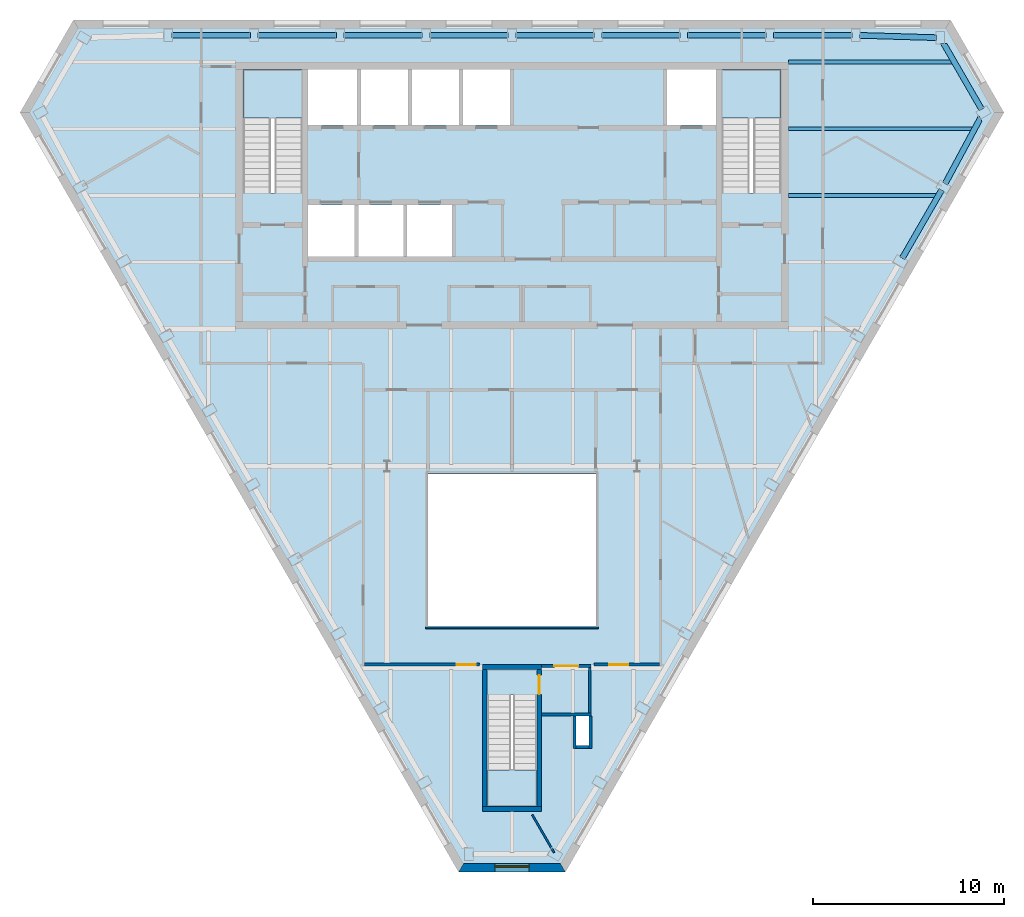
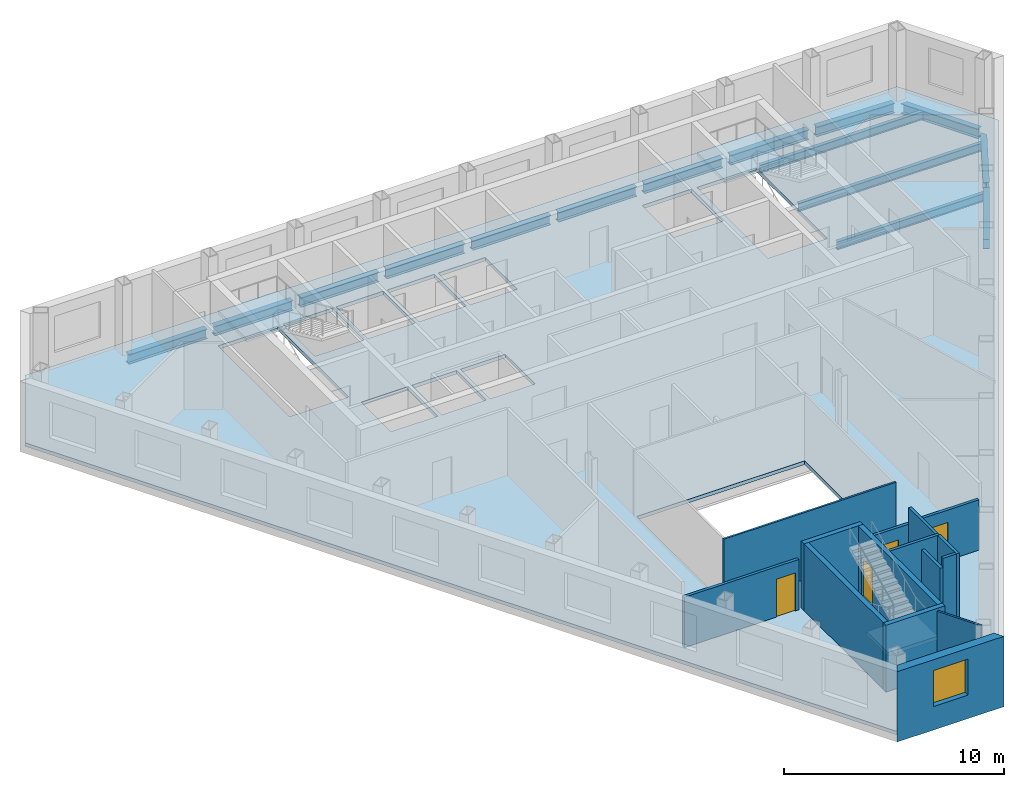
# One storey, part 3 of 10: 15 beams, 15 walls, 4 doors, 4 slabs, 1 window, 5 openings, 3 elements without a shape of their own.
"""IFC4 building model written with IfcOpenShell, lengths in metres."""

from ifc_helpers import new_model, si_unit, direction, frame, frame_2d, origin, origin_2d, place, context, subcontext, project, spatial, polyline, rectangle, i_section, outline, extrude, clip, halfspace, material, layer, layer_set, material_profile, profile_set, type_object, element, fill, aggregate, save


model = new_model("IFC4")

# Units and contexts
model_context = context("Model", 3, precision=1e-05, world=origin(), true_north=direction((0.0, 1.0)))
body_context = subcontext(model_context, "Body", "Model", "MODEL_VIEW")
ifc_project = project(units=[si_unit("LENGTHUNIT", "METRE"), si_unit("AREAUNIT", "SQUARE_METRE"), si_unit("VOLUMEUNIT", "CUBIC_METRE"), si_unit("PLANEANGLEUNIT", "RADIAN"), si_unit("MASSUNIT", "GRAM", prefix="KILO")], contexts=[model_context])

# Site, building, storey
site_placement = place(None, origin())
site = spatial("IfcSite", under=ifc_project, at=site_placement, CompositionType="ELEMENT")
building_placement = place(site_placement, origin())
building = spatial("IfcBuilding", under=site, at=building_placement, Name="Njiva Tower", CompositionType="ELEMENT")
storey_placement = place(building_placement, frame((0.0, 0.0, 272.7)))
storey = spatial("IfcBuildingStorey", under=building, at=storey_placement, Name="L62", CompositionType="ELEMENT", Elevation=272.7)

# Beams
ifc_material_1 = material(Name="Steel S355 J2", Category="steel")
ifc_material_profile_1 = material_profile(ifc_material_1, i_section(OverallWidth=0.19, OverallDepth=0.45, WebThickness=0.0094, FlangeThickness=0.0146, at=origin_2d()), Name="IPE 450")
ifc_profile_set_1 = profile_set([ifc_material_profile_1], Name="Steel S355 J2")
beam_type_1 = type_object("IfcBeamType", Name="B37 Floor beam to the core IPE 450", PredefinedType="BEAM", material=ifc_profile_set_1)
beam_1_placement = place(storey_placement, frame((14.5, 11.0, -0.425), z_axis=(1.0, 0.0, 0.0), x_axis=(0.0, 1.0, 0.0)))
element("IfcBeam", 1, at=beam_1_placement, inside=storey, type_object=beam_type_1, Name="Floor beam to the core S20-B008", PredefinedType="BEAM", context=body_context, shape_type="Clipping", body=[
    clip(extrude(i_section(OverallWidth=0.19, OverallDepth=0.45, WebThickness=0.0094, FlangeThickness=0.0146, at=origin_2d()), origin(), (0.0, 0.0, 1.0), 7.824), halfspace(frame((-0.025, 0.0, 7.7347), z_axis=(-0.499998009787, 0.0, 0.866026552831), x_axis=(0.0, 1.0, 0.0)), False)),
])
beam_2_placement = place(storey_placement, frame((14.5, 18.0, -0.425), z_axis=(1.0, 0.0, 0.0), x_axis=(0.0, 1.0, 0.0)))
element("IfcBeam", 2, at=beam_2_placement, inside=storey, type_object=beam_type_1, Name="Floor beam to the core S20-B010", PredefinedType="BEAM", context=body_context, shape_type="Clipping", body=[
    clip(extrude(i_section(OverallWidth=0.19, OverallDepth=0.45, WebThickness=0.0094, FlangeThickness=0.0146, at=origin_2d()), origin(), (0.0, 0.0, 1.0), 8.652), halfspace(frame((0.025, 0.0, 8.5628), z_axis=(0.499998009787, 0.0, 0.866026552831), x_axis=(0.0, 1.0, 0.0)), False)),
])
ifc_material_profile_2 = material_profile(ifc_material_1, i_section(OverallWidth=0.3, OverallDepth=0.54, WebThickness=0.0125, FlangeThickness=0.024, at=origin_2d()), Name="HEA 550")
ifc_profile_set_2 = profile_set([ifc_material_profile_2], Name="Steel S355 J2")
beam_type_2 = type_object("IfcBeamType", Name="B39 Short-span spandrel beam HEA 550", PredefinedType="SPANDREL", material=ifc_profile_set_2)
beam_3_placement = place(storey_placement, frame((22.257, 19.273, -0.47), z_axis=(-0.999547991975, 0.030063461852, 0.0), x_axis=(-0.030063461852, -0.999547991975, 0.0)))
element("IfcBeam", 3, at=beam_3_placement, inside=storey, type_object=beam_type_2, Name="Short-span spandrel beam S20-B122", PredefinedType="SPANDREL", context=body_context, shape_type="SweptSolid", body=[
    extrude(i_section(OverallWidth=0.3, OverallDepth=0.54, WebThickness=0.0125, FlangeThickness=0.024, at=origin_2d()), origin(), (0.0, 0.0, 1.0), 4.0248),
])
beam_4_placement = place(storey_placement, frame((17.83, 19.4, -0.47), z_axis=(-1.0, 0.0, 0.0), x_axis=(0.0, -1.0, 0.0)))
element("IfcBeam", 4, at=beam_4_placement, inside=storey, type_object=beam_type_2, Name="Short-span spandrel beam S20-B116", PredefinedType="SPANDREL", context=body_context, shape_type="SweptSolid", body=[
    extrude(i_section(OverallWidth=0.3, OverallDepth=0.54, WebThickness=0.0125, FlangeThickness=0.024, at=origin_2d()), origin(), (0.0, 0.0, 1.0), 4.107),
])
beam_5_placement = place(storey_placement, frame((13.323, 19.4, -0.47), z_axis=(-1.0, 0.0, 0.0), x_axis=(0.0, -1.0, 0.0)))
element("IfcBeam", 5, at=beam_5_placement, inside=storey, type_object=beam_type_2, Name="Short-span spandrel beam S20-B111", PredefinedType="SPANDREL", context=body_context, shape_type="SweptSolid", body=[
    extrude(i_section(OverallWidth=0.3, OverallDepth=0.54, WebThickness=0.0125, FlangeThickness=0.024, at=origin_2d()), origin(), (0.0, 0.0, 1.0), 4.108),
])
beam_6_placement = place(storey_placement, frame((8.815, 19.4, -0.47), z_axis=(-1.0, 0.0, 0.0), x_axis=(0.0, -1.0, 0.0)))
element("IfcBeam", 6, at=beam_6_placement, inside=storey, type_object=beam_type_2, Name="Short-span spandrel beam S20-B106", PredefinedType="SPANDREL", context=body_context, shape_type="SweptSolid", body=[
    extrude(i_section(OverallWidth=0.3, OverallDepth=0.54, WebThickness=0.0125, FlangeThickness=0.024, at=origin_2d()), origin(), (0.0, 0.0, 1.0), 4.107),
])
for number, where, z_axis, x_axis, name in (
    (7, (4.308, 19.4, -0.47), (-1.0, 0.0, 0.0), (0.0, -1.0, 0.0), "Short-span spandrel beam S20-B100"),
    (8, (-0.2, 19.4, -0.47), (-1.0, 0.0, 0.0), (0.0, -1.0, 0.0), "Short-span spandrel beam S20-B097"),
):
    element("IfcBeam", number, at=place(storey_placement, frame(where, z_axis=z_axis, x_axis=x_axis)), inside=storey, type_object=beam_type_2, Name=name, PredefinedType="SPANDREL", context=body_context, shape_type="SweptSolid", body=[
        extrude(i_section(OverallWidth=0.3, OverallDepth=0.54, WebThickness=0.0125, FlangeThickness=0.024, at=origin_2d()), origin(), (0.0, 0.0, 1.0), 4.108),
    ])
beam_7_placement = place(storey_placement, frame((-4.708, 19.4, -0.47), z_axis=(-1.0, 0.0, 0.0), x_axis=(0.0, -1.0, 0.0)))
element("IfcBeam", 9, at=beam_7_placement, inside=storey, type_object=beam_type_2, Name="Short-span spandrel beam S20-B091", PredefinedType="SPANDREL", context=body_context, shape_type="SweptSolid", body=[
    extrude(i_section(OverallWidth=0.3, OverallDepth=0.54, WebThickness=0.0125, FlangeThickness=0.024, at=origin_2d()), origin(), (0.0, 0.0, 1.0), 4.107),
])
beam_8_placement = place(storey_placement, frame((-9.215, 19.4, -0.47), z_axis=(-1.0, 0.0, 0.0), x_axis=(0.0, -1.0, 0.0)))
element("IfcBeam", 10, at=beam_8_placement, inside=storey, type_object=beam_type_2, Name="Short-span spandrel beam S20-B086", PredefinedType="SPANDREL", context=body_context, shape_type="SweptSolid", body=[
    extrude(i_section(OverallWidth=0.3, OverallDepth=0.54, WebThickness=0.0125, FlangeThickness=0.024, at=origin_2d()), origin(), (0.0, 0.0, 1.0), 4.108),
])
beam_9_placement = place(storey_placement, frame((-13.723, 19.4, -0.47), z_axis=(-1.0, 0.0, 0.0), x_axis=(0.0, -1.0, 0.0)))
element("IfcBeam", 11, at=beam_9_placement, inside=storey, type_object=beam_type_2, Name="Short-span spandrel beam S20-B081", PredefinedType="SPANDREL", context=body_context, shape_type="SweptSolid", body=[
    extrude(i_section(OverallWidth=0.3, OverallDepth=0.54, WebThickness=0.0125, FlangeThickness=0.024, at=origin_2d()), origin(), (0.0, 0.0, 1.0), 4.107),
])
beam_10_placement = place(storey_placement, frame((20.469, 7.716, -0.47), z_axis=(0.499961250474, 0.866047774678, 0.0), x_axis=(-0.866047774678, 0.499961250474, 0.0)))
element("IfcBeam", 12, at=beam_10_placement, inside=storey, type_object=beam_type_2, Name="Short-span spandrel beam S20-B124", PredefinedType="SPANDREL", context=body_context, shape_type="SweptSolid", body=[
    extrude(i_section(OverallWidth=0.3, OverallDepth=0.54, WebThickness=0.0125, FlangeThickness=0.024, at=origin_2d()), origin(), (0.0, 0.0, 1.0), 4.1083),
])
beam_11_placement = place(storey_placement, frame((22.719, 11.626, -0.47), z_axis=(0.473838311097, 0.880611863954, 0.0), x_axis=(-0.880611863954, 0.473838311097, 0.0)))
element("IfcBeam", 13, at=beam_11_placement, inside=storey, type_object=beam_type_2, Name="Short-span spandrel beam S20-B128", PredefinedType="SPANDREL", context=body_context, shape_type="Clipping", body=[
    clip(extrude(i_section(OverallWidth=0.3, OverallDepth=0.54, WebThickness=0.0125, FlangeThickness=0.024, at=origin_2d()), origin(), (0.0, 0.0, 1.0), 3.9898), halfspace(frame((-0.026, 0.0, 3.8604), z_axis=(-0.525715044414, 0.0, 0.85066073853), x_axis=(0.0, 1.0, 0.0)), False)),
])
beam_12_placement = place(storey_placement, frame((24.623, 15.523, -0.47), z_axis=(-0.500114213461, 0.865959452569, 0.0), x_axis=(-0.865959452569, -0.500114213461, 0.0)))
element("IfcBeam", 14, at=beam_12_placement, inside=storey, type_object=beam_type_2, Name="Short-span spandrel beam S20-B125", PredefinedType="SPANDREL", context=body_context, shape_type="Clipping", body=[
    clip(extrude(i_section(OverallWidth=0.3, OverallDepth=0.54, WebThickness=0.0125, FlangeThickness=0.024, at=origin_2d()), origin(), (0.0, 0.0, 1.0), 4.0841), halfspace(frame((-0.0254, 0.0, 3.9624), z_axis=(-0.500114213461, 0.0, 0.865959452569), x_axis=(0.0, 1.0, 0.0)), False)),
])
ifc_material_profile_3 = material_profile(ifc_material_1, i_section(OverallWidth=0.19, OverallDepth=0.45, WebThickness=0.0094, FlangeThickness=0.0146, at=origin_2d()), Name="IPE 450")
ifc_profile_set_3 = profile_set([ifc_material_profile_3], Name="Steel S355 J2")
beam_type_3 = type_object("IfcBeamType", Name="B45 Long-span floor beam to the core IPE 450", PredefinedType="BEAM", material=ifc_profile_set_3)
beam_13_placement = place(storey_placement, frame((14.5, 14.5, -0.425), z_axis=(1.0, 0.0, 0.0), x_axis=(0.0, 1.0, 0.0)))
element("IfcBeam", 15, at=beam_13_placement, inside=storey, type_object=beam_type_3, Name="Long-span floor beam to the core S20-B009", PredefinedType="BEAM", context=body_context, shape_type="Clipping", body=[
    clip(extrude(i_section(OverallWidth=0.19, OverallDepth=0.45, WebThickness=0.0094, FlangeThickness=0.0146, at=origin_2d()), origin(), (0.0, 0.0, 1.0), 9.723), halfspace(frame((-0.0237, 0.0, 9.6388), z_axis=(-0.473769423091, 0.0, 0.880648927634), x_axis=(0.0, 1.0, 0.0)), False)),
])

# Stair, slab
ifc_material_2 = material(Name="Concrete C40/50", Category="concrete")
stair_type_1 = type_object("IfcStairType", Name="ST3 Exit stair 1450", PredefinedType="HALF_TURN_STAIR", material=ifc_material_2)
stair_1_placement = place(storey_placement, origin())
stair_1 = element("IfcStair", 16, at=stair_1_placement, inside=storey, type_object=stair_type_1, Name="Stair A", PredefinedType="HALF_TURN_STAIR")
ifc_layer_1 = layer(ifc_material_2, 0.2)
ifc_layer_set_1 = layer_set([ifc_layer_1], Name="Concrete C40/50")
slab_type_1 = type_object("IfcSlabType", Name="FL9 Stair landing 200", PredefinedType="LANDING", material=ifc_layer_set_1)
slab_1_placement = place(storey_placement, frame((0.0, 0.0, 1.75)))
slab_1 = element("IfcSlab", 17, at=slab_1_placement, type_object=slab_type_1, Name="ST-A landing 1", PredefinedType="LANDING", context=body_context, shape_type="SweptSolid", body=[
    extrude(outline(polyline([(-14.106, 15.06), (-10.994, 15.06), (-10.994, 17.6), (-14.106, 17.6), (-14.106, 15.06)])), origin(), (0.0, 0.0, 1.0), 0.2),
])
aggregate(stair_1, [slab_1])

stair_2_placement = place(storey_placement, origin())
stair_2 = element("IfcStair", 18, at=stair_2_placement, inside=storey, type_object=stair_type_1, Name="Stair B", PredefinedType="HALF_TURN_STAIR")
slab_2_placement = place(storey_placement, frame((0.0, 0.0, 1.75)))
slab_2 = element("IfcSlab", 19, at=slab_2_placement, type_object=slab_type_1, Name="ST-B landing 1", PredefinedType="LANDING", context=body_context, shape_type="SweptSolid", body=[
    extrude(outline(polyline([(10.994, 15.06), (14.106, 15.06), (14.106, 17.6), (10.994, 17.6), (10.994, 15.06)])), origin(), (0.0, 0.0, 1.0), 0.2),
])
aggregate(stair_2, [slab_2])

stair_type_2 = type_object("IfcStairType", Name="ST1 Exit stair 1250", PredefinedType="HALF_TURN_STAIR", material=ifc_material_2)
stair_3_placement = place(storey_placement, origin())
stair_3 = element("IfcStair", 20, at=stair_3_placement, inside=storey, type_object=stair_type_2, Name="Stair C", PredefinedType="HALF_TURN_STAIR")
slab_3_placement = place(storey_placement, frame((0.0, 0.0, 1.75)))
slab_3 = element("IfcSlab", 21, at=slab_3_placement, type_object=slab_type_1, Name="ST-C landing 1", PredefinedType="LANDING", context=body_context, shape_type="SweptSolid", body=[
    extrude(outline(polyline([(-1.306, -21.05), (1.306, -21.05), (1.306, -19.12), (-1.306, -19.12), (-1.306, -21.05)])), origin(), (0.0, 0.0, 1.0), 0.2),
])
aggregate(stair_3, [slab_3])

# Slab
ifc_material_3 = material(Name="Concrete C30/37", Category="concrete")
ifc_layer_2 = layer(ifc_material_3, 0.2)
ifc_layer_set_2 = layer_set([ifc_layer_2], Name="Concrete C30/37")
slab_type_2 = type_object("IfcSlabType", Name="SL16 Composite floor slab 200", PredefinedType="FLOOR", material=ifc_layer_set_2)
slab_4_placement = place(storey_placement, frame((0.0, 0.0, -0.2)))
element("IfcSlab", 22, at=slab_4_placement, inside=storey, type_object=slab_type_2, Name="Floor slab L62", PredefinedType="FLOOR", context=body_context, shape_type="SweptSolid", body=[
    extrude(outline(polyline([(25.5402, 15.3503), (2.6701, -24.2619), (-2.6701, -24.2619), (-25.5402, 15.3503), (-22.8701, 19.975), (22.8701, 19.975), (25.5402, 15.3503)]), holes=[polyline([(10.994, 11.13), (14.106, 11.13), (14.106, 17.6), (10.994, 17.6), (10.994, 11.13)]), polyline([(8.125, 14.7), (10.7, 14.7), (10.7, 17.6), (8.125, 17.6), (8.125, 14.7)]), polyline([(4.4, -11.6), (4.4, -3.6), (-4.4, -3.6), (-4.4, -11.6), (4.4, -11.6)]), polyline([(3.35, -17.85), (4.05, -17.85), (4.05, -16.3), (3.35, -16.3), (3.35, -17.85)]), polyline([(-1.306, -21.05), (1.306, -21.05), (1.306, -15.19), (-1.306, -15.19), (-1.306, -21.05)]), polyline([(-2.575, 14.7), (-0.1, 14.7), (-0.1, 17.6), (-2.575, 17.6), (-2.575, 14.7)]), polyline([(-2.775, 14.7), (-2.775, 17.6), (-5.25, 17.6), (-5.25, 14.7), (-2.775, 14.7)]), polyline([(-5.5, 7.8), (-3.15, 7.8), (-3.15, 10.5), (-5.5, 10.5), (-5.5, 7.8)]), polyline([(-7.925, 14.7), (-5.45, 14.7), (-5.45, 17.6), (-7.925, 17.6), (-7.925, 14.7)]), polyline([(-8.05, 7.8), (-5.7, 7.8), (-5.7, 10.5), (-8.05, 10.5), (-8.05, 7.8)]), polyline([(-10.7, 14.7), (-8.125, 14.7), (-8.125, 17.6), (-10.7, 17.6), (-10.7, 14.7)]), polyline([(-8.25, 7.8), (-8.25, 10.5), (-10.7, 10.5), (-10.7, 7.8), (-8.25, 7.8)]), polyline([(-10.994, 11.13), (-10.994, 17.6), (-14.106, 17.6), (-14.106, 11.13), (-10.994, 11.13)])]), origin(), (0.0, 0.0, 1.0), 0.2),
])

# Wall
ifc_material_4 = material(Name="Gypsum board on steel studs", Category="gypsum")
ifc_layer_3 = layer(ifc_material_4, 0.1)
ifc_layer_set_3 = layer_set([ifc_layer_3], Name="Gypsum board on steel studs")
wall_type_1 = type_object("IfcWallType", Name="WT20 Gypsum partition 100", PredefinedType="PARTITIONING", material=ifc_layer_set_3)
wall_1_placement = place(storey_placement, frame((1.061, -21.475, 0.0), z_axis=(0.0, 0.0, 1.0), x_axis=(0.499973348067, -0.866040790738, 0.0)))
element("IfcWall", 23, at=wall_1_placement, inside=storey, type_object=wall_type_1, Name="Partition S20-P013", PredefinedType="PARTITIONING", context=body_context, shape_type="SweptSolid", body=[
    extrude(rectangle(XDim=2.3001, YDim=0.1, at=frame_2d((1.15, 0.0))), origin(), (0.0, 0.0, 1.0), 3.7),
])

# Wall, opening, door
ifc_layer_4 = layer(ifc_material_4, 0.15)
ifc_layer_set_4 = layer_set([ifc_layer_4], Name="Gypsum board on steel studs")
wall_type_2 = type_object("IfcWallType", Name="WT21 Compartment wall 150", PredefinedType="PARTITIONING", material=ifc_layer_set_4)
wall_2_placement = place(storey_placement, frame((-7.725, -13.6, 0.0), z_axis=(0.0, 0.0, 1.0), x_axis=(1.0, 0.0, 0.0)))
wall_2 = element("IfcWall", 24, at=wall_2_placement, inside=storey, type_object=wall_type_2, Name="Partition S20-P009", PredefinedType="PARTITIONING", context=body_context, shape_type="SweptSolid", body=[
    extrude(rectangle(XDim=6.025, YDim=0.15, at=frame_2d((3.0125, 0.0))), origin(), (0.0, 0.0, 1.0), 2.79),
])
opening_1_placement = place(wall_2_placement, frame((4.825, 0.0, 0.0)))
opening_1 = element("IfcOpeningElement", 25, at=opening_1_placement, cuts=wall_2, Name="Opening S20-D005", PredefinedType="OPENING", context=body_context, shape_type="SweptSolid", body=[
    extrude(rectangle(XDim=1.0, YDim=2.1, at=frame_2d((0.5, 1.05))), frame((0.0, 0.085, 0.0), z_axis=(0.0, -1.0, 0.0), x_axis=(1.0, 0.0, 0.0)), (0.0, 0.0, 1.0), 0.17),
])
ifc_material_5 = material(Name="Steel fire door set", Category="steel")
door_type_1 = type_object("IfcDoorType", Name="D37 Fire door 1000x2100", OperationType="SINGLE_SWING_LEFT", PredefinedType="DOOR", material=ifc_material_5)
door_1_placement = place(opening_1_placement, origin())
door_1 = element("IfcDoor", 26, at=door_1_placement, inside=storey, type_object=door_type_1, Name="Door S20-D005", OperationType="SINGLE_SWING_LEFT", OverallHeight=2.1, OverallWidth=1.0, PredefinedType="DOOR", context=body_context, shape_type="SweptSolid", body=[
    extrude(rectangle(XDim=1.0, YDim=2.1, at=frame_2d((0.5, 1.05))), frame((0.0, 0.025, 0.0), z_axis=(0.0, -1.0, 0.0), x_axis=(1.0, 0.0, 0.0)), (0.0, 0.0, 1.0), 0.05),
])
fill(opening_1, door_1)

wall_3_placement = place(storey_placement, frame((4.3, -13.6, 0.0), z_axis=(0.0, 0.0, 1.0), x_axis=(1.0, 0.0, 0.0)))
wall_3 = element("IfcWall", 27, at=wall_3_placement, inside=storey, type_object=wall_type_2, Name="Partition S20-P014", PredefinedType="PARTITIONING", context=body_context, shape_type="SweptSolid", body=[
    extrude(rectangle(XDim=3.425, YDim=0.15, at=frame_2d((1.7125, 0.0))), origin(), (0.0, 0.0, 1.0), 2.79),
])
opening_2_placement = place(wall_3_placement, frame((0.798, 0.0, 0.0)))
opening_2 = element("IfcOpeningElement", 28, at=opening_2_placement, cuts=wall_3, Name="Opening S20-D009", PredefinedType="OPENING", context=body_context, shape_type="SweptSolid", body=[
    extrude(rectangle(XDim=1.0, YDim=2.1, at=frame_2d((0.5, 1.05))), frame((0.0, 0.085, 0.0), z_axis=(0.0, -1.0, 0.0), x_axis=(1.0, 0.0, 0.0)), (0.0, 0.0, 1.0), 0.17),
])
door_2_placement = place(opening_2_placement, origin())
door_2 = element("IfcDoor", 29, at=door_2_placement, inside=storey, type_object=door_type_1, Name="Door S20-D009", OperationType="SINGLE_SWING_LEFT", OverallHeight=2.1, OverallWidth=1.0, PredefinedType="DOOR", context=body_context, shape_type="SweptSolid", body=[
    extrude(rectangle(XDim=1.0, YDim=2.1, at=frame_2d((0.5, 1.05))), frame((0.0, 0.025, 0.0), z_axis=(0.0, -1.0, 0.0), x_axis=(1.0, 0.0, 0.0)), (0.0, 0.0, 1.0), 0.05),
])
fill(opening_2, door_2)

# Walls
ifc_material_6 = material(Name="Blockwork", Category="masonry")
ifc_layer_5 = layer(ifc_material_6, 0.15)
ifc_layer_set_5 = layer_set([ifc_layer_5], Name="Blockwork")
wall_type_3 = type_object("IfcWallType", Name="WT4 Stair partition 150", PredefinedType="PARTITIONING", material=ifc_layer_set_5)
wall_4_placement = place(storey_placement, frame((1.55, -16.225, 0.0), z_axis=(0.0, 0.0, 1.0), x_axis=(1.0, 0.0, 0.0)))
element("IfcWall", 30, at=wall_4_placement, inside=storey, type_object=wall_type_3, Name="Stair C vestibule wall south", PredefinedType="PARTITIONING", context=body_context, shape_type="SweptSolid", body=[
    extrude(rectangle(XDim=2.6, YDim=0.15, at=frame_2d((1.3, 0.0))), origin(), (0.0, 0.0, 1.0), 3.7),
])
wall_5_placement = place(storey_placement, frame((4.075, -16.15, 0.0), z_axis=(0.0, 0.0, 1.0), x_axis=(0.0, 1.0, 0.0)))
element("IfcWall", 31, at=wall_5_placement, inside=storey, type_object=wall_type_3, Name="Stair C vestibule wall east", PredefinedType="PARTITIONING", context=body_context, shape_type="SweptSolid", body=[
    extrude(rectangle(XDim=2.4, YDim=0.15, at=frame_2d((1.2, 0.0))), origin(), (0.0, 0.0, 1.0), 3.7),
])

# Wall, opening, door
wall_6_placement = place(storey_placement, frame((1.55, -13.675, 0.0), z_axis=(0.0, 0.0, 1.0), x_axis=(1.0, 0.0, 0.0)))
wall_6 = element("IfcWall", 32, at=wall_6_placement, inside=storey, type_object=wall_type_3, Name="Stair C vestibule wall north", PredefinedType="PARTITIONING", context=body_context, shape_type="SweptSolid", body=[
    extrude(rectangle(XDim=2.6, YDim=0.15, at=frame_2d((1.3, 0.0))), origin(), (0.0, 0.0, 1.0), 2.79),
])
opening_3_placement = place(wall_6_placement, frame((0.675, 0.0, 0.0)))
opening_3 = element("IfcOpeningElement", 33, at=opening_3_placement, cuts=wall_6, Name="Opening S20-D931", PredefinedType="OPENING", context=body_context, shape_type="SweptSolid", body=[
    extrude(rectangle(XDim=1.25, YDim=2.1, at=frame_2d((0.625, 1.05))), frame((0.0, 0.085, 0.0), z_axis=(0.0, -1.0, 0.0), x_axis=(1.0, 0.0, 0.0)), (0.0, 0.0, 1.0), 0.17),
])
ifc_material_7 = material(Name="Glazed steel fire door", Category="steel")
door_type_2 = type_object("IfcDoorType", Name="D8 Vestibule corridor door 1250x2100 glazed", OperationType="SINGLE_SWING_LEFT", PredefinedType="DOOR", material=ifc_material_7)
door_3_placement = place(opening_3_placement, origin())
door_3 = element("IfcDoor", 34, at=door_3_placement, inside=storey, type_object=door_type_2, Name="Stair vestibule corridor door", OperationType="SINGLE_SWING_RIGHT", OverallHeight=2.1, OverallWidth=1.25, PredefinedType="DOOR", context=body_context, shape_type="SweptSolid", body=[
    extrude(rectangle(XDim=1.25, YDim=2.1, at=frame_2d((0.625, 1.05))), frame((0.0, 0.025, 0.0), z_axis=(0.0, -1.0, 0.0), x_axis=(1.0, 0.0, 0.0)), (0.0, 0.0, 1.0), 0.05),
])
fill(opening_3, door_3)

# Walls
wall_7_placement = place(storey_placement, frame((3.275, -18.0, 0.0), z_axis=(0.0, 0.0, 1.0), x_axis=(0.0, 1.0, 0.0)))
element("IfcWall", 35, at=wall_7_placement, inside=storey, type_object=wall_type_3, Name="Stair C pressurisation shaft wall", PredefinedType="PARTITIONING", context=body_context, shape_type="SweptSolid", body=[
    extrude(rectangle(XDim=1.7, YDim=0.15, at=frame_2d((0.85, 0.0))), origin(), (0.0, 0.0, 1.0), 3.2),
])
wall_8_placement = place(storey_placement, frame((3.35, -17.925, 0.0), z_axis=(0.0, 0.0, 1.0), x_axis=(1.0, 0.0, 0.0)))
element("IfcWall", 36, at=wall_8_placement, inside=storey, type_object=wall_type_3, Name="Stair C pressurisation shaft wall", PredefinedType="PARTITIONING", context=body_context, shape_type="SweptSolid", body=[
    extrude(rectangle(XDim=0.7, YDim=0.15, at=frame_2d((0.35, 0.0))), origin(), (0.0, 0.0, 1.0), 3.7),
])
wall_9_placement = place(storey_placement, frame((4.125, -18.0, 0.0), z_axis=(0.0, 0.0, 1.0), x_axis=(0.0, 1.0, 0.0)))
element("IfcWall", 37, at=wall_9_placement, inside=storey, type_object=wall_type_3, Name="Stair C pressurisation shaft wall", PredefinedType="PARTITIONING", context=body_context, shape_type="SweptSolid", body=[
    extrude(rectangle(XDim=1.7, YDim=0.15, at=frame_2d((0.85, 0.0))), origin(), (0.0, 0.0, 1.0), 3.7),
])
ifc_layer_6 = layer(ifc_material_2, 0.25)
ifc_layer_set_6 = layer_set([ifc_layer_6], Name="Concrete C40/50")
wall_type_4 = type_object("IfcWallType", Name="WT9 Stair enclosure wall 250", PredefinedType="SHEAR", material=ifc_layer_set_6)
wall_10_placement = place(storey_placement, frame((-1.425, -21.05, 0.0), z_axis=(0.0, 0.0, 1.0), x_axis=(0.0, 1.0, 0.0)))
element("IfcWall", 38, at=wall_10_placement, inside=storey, type_object=wall_type_4, Name="Stair C wall west", PredefinedType="SHEAR", context=body_context, shape_type="SweptSolid", body=[
    extrude(rectangle(XDim=7.2, YDim=0.25, at=frame_2d((3.6, 0.0))), origin(), (0.0, 0.0, 1.0), 3.7),
])

# Wall, opening, door
wall_11_placement = place(storey_placement, frame((1.425, -21.05, 0.0), z_axis=(0.0, 0.0, 1.0), x_axis=(0.0, 1.0, 0.0)))
wall_11 = element("IfcWall", 39, at=wall_11_placement, inside=storey, type_object=wall_type_4, Name="Stair C wall east", PredefinedType="SHEAR", context=body_context, shape_type="SweptSolid", body=[
    extrude(rectangle(XDim=7.2, YDim=0.25, at=frame_2d((3.6, 0.0))), origin(), (0.0, 0.0, 1.0), 3.7),
])
opening_4_placement = place(wall_11_placement, frame((5.89, 0.0, 0.0)))
opening_4 = element("IfcOpeningElement", 40, at=opening_4_placement, cuts=wall_11, Name="Opening S20-D930", PredefinedType="OPENING", context=body_context, shape_type="SweptSolid", body=[
    extrude(rectangle(XDim=1.0, YDim=2.1, at=frame_2d((0.5, 1.05))), frame((0.0, 0.135, 0.0), z_axis=(0.0, -1.0, 0.0), x_axis=(1.0, 0.0, 0.0)), (0.0, 0.0, 1.0), 0.27),
])
door_type_3 = type_object("IfcDoorType", Name="D9 Stair vestibule door 1000x2100 glazed", OperationType="SINGLE_SWING_LEFT", PredefinedType="DOOR", material=ifc_material_7)
door_4_placement = place(opening_4_placement, origin())
door_4 = element("IfcDoor", 41, at=door_4_placement, inside=storey, type_object=door_type_3, Name="Stair C door", OperationType="SINGLE_SWING_LEFT", OverallHeight=2.1, OverallWidth=1.0, PredefinedType="DOOR", context=body_context, shape_type="SweptSolid", body=[
    extrude(rectangle(XDim=1.0, YDim=2.1, at=frame_2d((0.5, 1.05))), frame((0.0, 0.025, 0.0), z_axis=(0.0, -1.0, 0.0), x_axis=(1.0, 0.0, 0.0)), (0.0, 0.0, 1.0), 0.05),
])
fill(opening_4, door_4)

# Walls
for number, where, z_axis, x_axis, name in (
    (42, (-1.55, -21.175, 0.0), (0.0, 0.0, 1.0), (1.0, 0.0, 0.0), "Stair C wall south"),
    (43, (-1.55, -13.725, 0.0), (0.0, 0.0, 1.0), (1.0, 0.0, 0.0), "Stair C wall north"),
):
    element("IfcWall", number, at=place(storey_placement, frame(where, z_axis=z_axis, x_axis=x_axis)), inside=storey, type_object=wall_type_4, Name=name, PredefinedType="SHEAR", context=body_context, shape_type="SweptSolid", body=[
        extrude(rectangle(XDim=3.1, YDim=0.25, at=frame_2d((1.55, 0.0))), origin(), (0.0, 0.0, 1.0), 3.7),
    ])

# Wall, opening, window
ifc_material_8 = material(Name="Brick masonry, buff", Category="masonry")
ifc_layer_7 = layer(ifc_material_8, 0.45)
ifc_layer_set_7 = layer_set([ifc_layer_7], Name="Brick masonry, buff")
wall_type_5 = type_object("IfcWallType", Name="WT94 Brick pier and spandrel wall 450, buff", PredefinedType="SOLIDWALL", material=ifc_layer_set_7)
wall_12_placement = place(storey_placement, frame((-2.6701, -24.2619, -0.4), z_axis=(0.0, 0.0, 1.0), x_axis=(1.0, 0.0, 0.0)))
wall_12 = element("IfcWall", 44, at=wall_12_placement, inside=storey, type_object=wall_type_5, Name="Facade wall S", PredefinedType="SOLIDWALL", context=body_context, shape_type="SweptSolid", body=[
    extrude(outline(polyline([(-0.1299, -0.225), (5.4701, -0.225), (5.2103, 0.225), (0.1299, 0.225), (-0.1299, -0.225)])), origin(), (0.0, 0.0, 1.0), 3.9),
])
opening_5_placement = place(wall_12_placement, frame((1.7701, 0.0, 1.3)))
opening_5 = element("IfcOpeningElement", 45, at=opening_5_placement, cuts=wall_12, Name="Opening S20-W19", PredefinedType="OPENING", context=body_context, shape_type="SweptSolid", body=[
    extrude(rectangle(XDim=1.8, YDim=2.0, at=frame_2d((0.9, 1.0))), frame((0.0, 0.235, 0.0), z_axis=(0.0, -1.0, 0.0), x_axis=(1.0, 0.0, 0.0)), (0.0, 0.0, 1.0), 0.47),
])
ifc_material_9 = material(Name="Clear glazing in aluminium frame", Category="aluminium")
window_type = type_object("IfcWindowType", Name="W94 Deep-set window 1800x2000", PartitioningType="SINGLE_PANEL", PredefinedType="WINDOW", material=ifc_material_9)
window_placement = place(opening_5_placement, origin())
window = element("IfcWindow", 46, at=window_placement, inside=storey, type_object=window_type, Name="Window", OverallHeight=2.0, OverallWidth=1.8, PartitioningType="SINGLE_PANEL", PredefinedType="WINDOW", context=body_context, shape_type="SweptSolid", body=[
    extrude(rectangle(XDim=1.8, YDim=2.0, at=frame_2d((0.9, 1.0))), frame((0.0, 0.105, 0.0), z_axis=(0.0, -1.0, 0.0), x_axis=(1.0, 0.0, 0.0)), (0.0, 0.0, 1.0), 0.06),
])
fill(opening_5, window)

# Wall
ifc_material_10 = material(Name="Fire-resisting glazing EI 90", Category="glass")
ifc_layer_8 = layer(ifc_material_10, 0.1)
ifc_layer_set_8 = layer_set([ifc_layer_8], Name="Fire-resisting glazing EI 90")
wall_type_6 = type_object("IfcWallType", Name="WT95 Fire-resisting glazed screen EI 90", PredefinedType="PARTITIONING", material=ifc_layer_set_8)
wall_13_placement = place(storey_placement, frame((-4.52, -11.67, 0.0), z_axis=(0.0, 0.0, 1.0), x_axis=(1.0, 0.0, 0.0)))
element("IfcWall", 47, at=wall_13_placement, inside=storey, type_object=wall_type_6, Name="Atrium fire screen south", PredefinedType="PARTITIONING", context=body_context, shape_type="SweptSolid", body=[
    extrude(rectangle(XDim=9.04, YDim=0.1, at=frame_2d((4.52, 0.0))), origin(), (0.0, 0.0, 1.0), 3.7),
])

save(model, "model.ifc")
